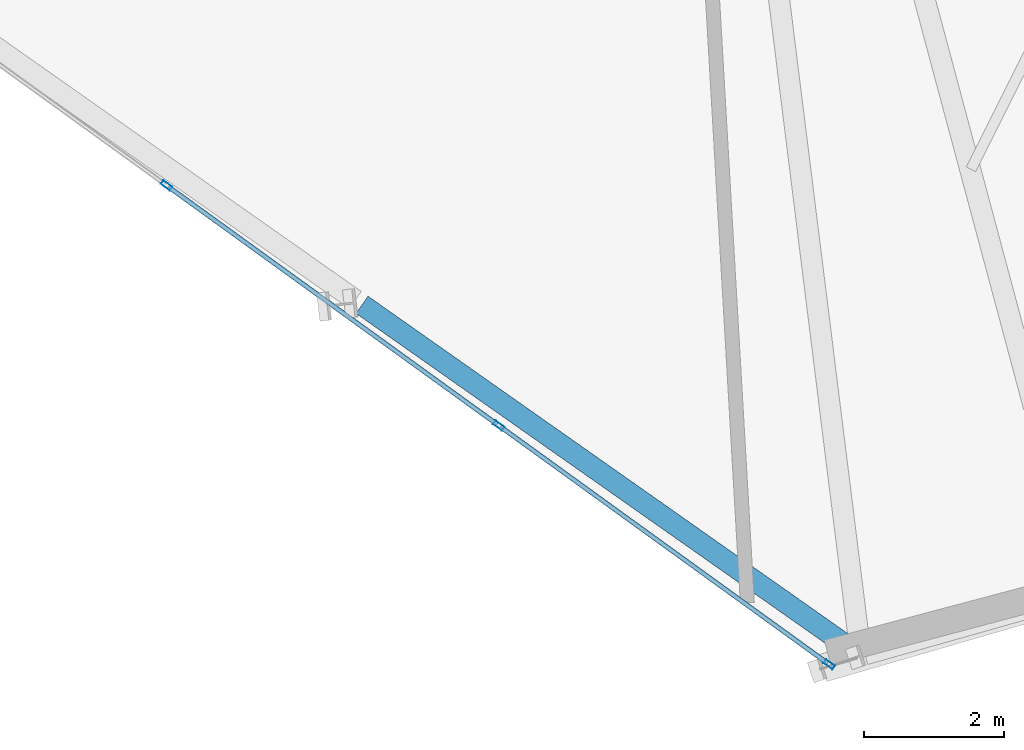
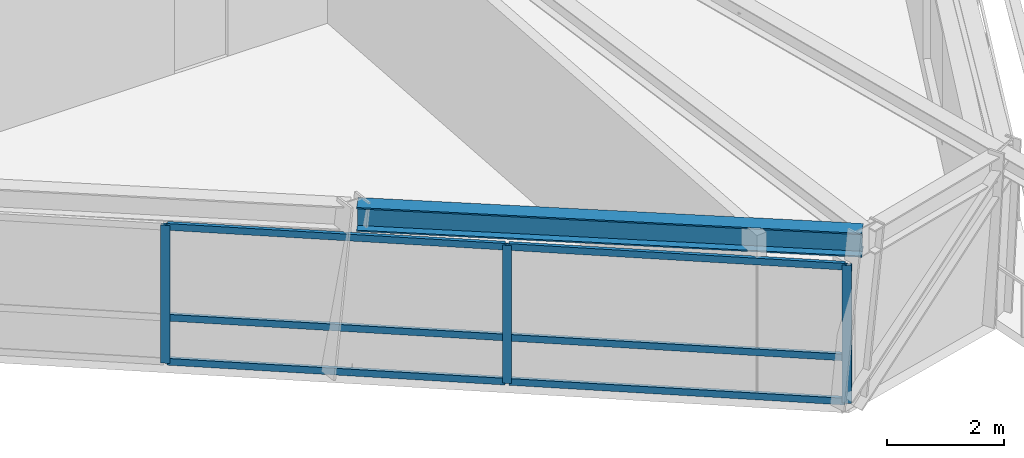
# One storey, part 3 of 14: 9 members, 1 beam, 1 element without a shape of its own.
"""IFC4 building model written with IfcOpenShell, lengths in metres."""

from ifc_helpers import new_model, si_unit, direction, frame, origin, origin_2d, place, context, subcontext, project, spatial, hollow_rectangle, i_section, extrude, source, transform, mapped, material, material_profile, profile_set, type_object, element, aggregate, save


model = new_model("IFC4")

# Units and contexts
model_context = context("Model", 3, precision=1e-05, world=origin(), true_north=direction((0.0, 1.0)))
body_context = subcontext(model_context, "Body", "Model", "MODEL_VIEW")
ifc_project = project(units=[si_unit("LENGTHUNIT", "METRE"), si_unit("AREAUNIT", "SQUARE_METRE"), si_unit("VOLUMEUNIT", "CUBIC_METRE"), si_unit("PLANEANGLEUNIT", "RADIAN"), si_unit("MASSUNIT", "GRAM", prefix="KILO")], contexts=[model_context])

# Site, building, storey
site_placement = place(None, origin())
site = spatial("IfcSite", under=ifc_project, at=site_placement, CompositionType="ELEMENT")
building_placement = place(site_placement, origin())
building = spatial("IfcBuilding", under=site, at=building_placement, Name="Olszyna Solenne Hotel", CompositionType="ELEMENT")
storey_placement = place(building_placement, frame((0.0, 0.0, 234.5)))
storey = spatial("IfcBuildingStorey", under=building, at=storey_placement, Name="L62", CompositionType="ELEMENT", Elevation=234.5)

# Beam
ifc_material_1 = material(Name="Steel S355J2", Category="steel")
ifc_material_profile_1 = material_profile(ifc_material_1, i_section(OverallWidth=0.300048828125, OverallDepth=0.5, WebThickness=0.014404296875, FlangeThickness=0.028076171875, at=origin_2d()), Name="HEB 500", Category="load-bearing")
ifc_profile_set_1 = profile_set([ifc_material_profile_1], Name="Steel S355J2")
beam_type = type_object("IfcBeamType", Name="BM-S3", PredefinedType="BEAM", material=ifc_profile_set_1)
shared_shape_1 = source(origin(), body_context, "Body", "SweptSolid", [
    extrude(i_section(OverallWidth=0.300048828125, OverallDepth=0.5, WebThickness=0.014404296875, FlangeThickness=0.028076171875, at=origin_2d()), origin(), (0.0, 0.0, 1.0), 8.648681640625),
])
beam_placement = place(storey_placement, frame((33.8115234375, 8.052978515625, 3.1298828125), z_axis=(0.818027290639, -0.575179408332, 0.0), x_axis=(0.575179408332, 0.818027290639, 0.0)))
element("IfcBeam", 1, at=beam_placement, inside=storey, type_object=beam_type, Name="Perimeter spandrel beam BM-S3 B-L62-1832", PredefinedType="BEAM", context=body_context, shape_type="MappedRepresentation", body=[
    mapped(shared_shape_1, transform((0.0, 0.0, 0.0), x_axis=(1.0, 0.0, 0.0), y_axis=(0.0, 1.0, 0.0), z_axis=(0.0, 0.0, 1.0), scale=1.0)),
])

# Curtain wall, members
ifc_material_2 = material(Name="Anodised bronze aluminium", Category="aluminium")
curtain_wall_type = type_object("IfcCurtainWallType", Name="CW-SYS-4", PredefinedType="NOTDEFINED", material=ifc_material_2)
curtain_wall_placement = place(storey_placement, origin())
curtain_wall = element("IfcCurtainWall", 2, at=curtain_wall_placement, inside=storey, type_object=curtain_wall_type, Name="Unitised curtain wall CW-SYS-4 CW-L62-01", PredefinedType="NOTDEFINED")
ifc_material_profile_2 = material_profile(ifc_material_2, hollow_rectangle(XDim=0.06494140625, YDim=0.159912109375, WallThickness=0.00390625, at=origin_2d()), Name="MULL 160x65x4", Category="load-bearing")
ifc_profile_set_2 = profile_set([ifc_material_profile_2], Name="Anodised bronze aluminium")
member_type_1 = type_object("IfcMemberType", Name="CW-M3", PredefinedType="MULLION", material=ifc_profile_set_2)
shared_shape_2 = source(origin(), body_context, "Body", "SweptSolid", [
    extrude(hollow_rectangle(XDim=0.06494140625, YDim=0.159912109375, WallThickness=0.00390625, at=origin_2d()), origin(), (0.0, 0.0, 1.0), 2.8720703125),
])
member_1_placement = place(storey_placement, frame((31.017578125, 9.759033203125, 0.0), z_axis=(0.0, 0.0, 1.0), x_axis=(0.585789345427, 0.810463350673, 0.0)))
member_1 = element("IfcMember", 3, at=member_1_placement, type_object=member_type_1, Name="Curtain-wall mullion CW-M3 CM-L62-01-02", PredefinedType="MULLION", context=body_context, shape_type="MappedRepresentation", body=[
    mapped(shared_shape_2, transform((0.0, 0.0, 0.0), x_axis=(1.0, 0.0, 0.0), y_axis=(0.0, 1.0, 0.0), z_axis=(0.0, 0.0, 1.0), scale=1.0)),
])
member_2_placement = place(storey_placement, frame((35.76416015625, 6.328369140625, 0.0), z_axis=(0.0, 0.0, 1.0), x_axis=(0.585789345427, 0.810463350673, 0.0)))
member_2 = element("IfcMember", 4, at=member_2_placement, type_object=member_type_1, Name="Curtain-wall mullion CW-M3 CM-L62-01-03", PredefinedType="MULLION", context=body_context, shape_type="MappedRepresentation", body=[
    mapped(shared_shape_2, transform((0.0, 0.0, 0.0), x_axis=(1.0, 0.0, 0.0), y_axis=(0.0, 1.0, 0.0), z_axis=(0.0, 0.0, 1.0), scale=1.0)),
])
member_3_placement = place(storey_placement, frame((40.484375, 2.916748046875, 0.0), z_axis=(0.0, 0.0, 1.0), x_axis=(0.585789345427, 0.810463350673, 0.0)))
member_3 = element("IfcMember", 5, at=member_3_placement, type_object=member_type_1, Name="Curtain-wall mullion CW-M3 CM-L62-01-04", PredefinedType="MULLION", context=body_context, shape_type="MappedRepresentation", body=[
    mapped(shared_shape_2, transform((0.0, 0.0, 0.0), x_axis=(1.0, 0.0, 0.0), y_axis=(0.0, 1.0, 0.0), z_axis=(0.0, 0.0, 1.0), scale=1.0)),
])
ifc_material_profile_3 = material_profile(ifc_material_2, hollow_rectangle(XDim=0.06494140625, YDim=0.139892578125, WallThickness=0.00390625, at=origin_2d()), Name="TRAN 140x65x4", Category="load-bearing")
ifc_profile_set_3 = profile_set([ifc_material_profile_3], Name="Anodised bronze aluminium")
member_type_2 = type_object("IfcMemberType", Name="CW-T2", PredefinedType="USERDEFINED", material=ifc_profile_set_3)
shared_shape_3 = source(origin(), body_context, "Body", "SweptSolid", [
    extrude(hollow_rectangle(XDim=0.06494140625, YDim=0.139892578125, WallThickness=0.00390625, at=origin_2d()), origin(), (0.0, 0.0, 1.0), 5.79150390625),
])
member_4_placement = place(storey_placement, frame((31.0439453125, 9.739990234375, 0.032470703125), z_axis=(0.810467974177, -0.585782948568, 0.0), x_axis=(0.585782948568, 0.810467974177, 0.0)))
member_4 = element("IfcMember", 6, at=member_4_placement, type_object=member_type_2, Name="Curtain-wall transom CW-T2 CT-L62-01-04", ObjectType="TRANSOM", PredefinedType="USERDEFINED", context=body_context, shape_type="MappedRepresentation", body=[
    mapped(shared_shape_3, transform((0.0, 0.0, 0.0), x_axis=(1.0, 0.0, 0.0), y_axis=(0.0, 1.0, 0.0), z_axis=(0.0, 0.0, 1.0), scale=1.0)),
])
member_5_placement = place(storey_placement, frame((31.0439453125, 9.739990234375, 0.949951171875), z_axis=(0.810467974177, -0.585782948568, 0.0), x_axis=(0.585782948568, 0.810467974177, 0.0)))
member_5 = element("IfcMember", 7, at=member_5_placement, type_object=member_type_2, Name="Curtain-wall transom CW-T2 CT-L62-01-05", ObjectType="TRANSOM", PredefinedType="USERDEFINED", context=body_context, shape_type="MappedRepresentation", body=[
    mapped(shared_shape_3, transform((0.0, 0.0, 0.0), x_axis=(1.0, 0.0, 0.0), y_axis=(0.0, 1.0, 0.0), z_axis=(0.0, 0.0, 1.0), scale=1.0)),
])
member_6_placement = place(storey_placement, frame((31.0439453125, 9.739990234375, 2.839599609375), z_axis=(0.810467974177, -0.585782948568, 0.0), x_axis=(0.585782948568, 0.810467974177, 0.0)))
member_6 = element("IfcMember", 8, at=member_6_placement, type_object=member_type_2, Name="Curtain-wall transom CW-T2 CT-L62-01-06", ObjectType="TRANSOM", PredefinedType="USERDEFINED", context=body_context, shape_type="MappedRepresentation", body=[
    mapped(shared_shape_3, transform((0.0, 0.0, 0.0), x_axis=(1.0, 0.0, 0.0), y_axis=(0.0, 1.0, 0.0), z_axis=(0.0, 0.0, 1.0), scale=1.0)),
])
shared_shape_4 = source(origin(), body_context, "Body", "SweptSolid", [
    extrude(hollow_rectangle(XDim=0.06494140625, YDim=0.139892578125, WallThickness=0.00390625, at=origin_2d()), origin(), (0.0, 0.0, 1.0), 5.759033203125),
])
member_7_placement = place(storey_placement, frame((35.79052734375, 6.309326171875, 0.032470703125), z_axis=(0.810466780789, -0.585784599693, 0.0), x_axis=(0.585784599693, 0.810466780789, 0.0)))
member_7 = element("IfcMember", 9, at=member_7_placement, type_object=member_type_2, Name="Curtain-wall transom CW-T2 CT-L62-01-07", ObjectType="TRANSOM", PredefinedType="USERDEFINED", context=body_context, shape_type="MappedRepresentation", body=[
    mapped(shared_shape_4, transform((0.0, 0.0, 0.0), x_axis=(1.0, 0.0, 0.0), y_axis=(0.0, 1.0, 0.0), z_axis=(0.0, 0.0, 1.0), scale=1.0)),
])
member_8_placement = place(storey_placement, frame((35.79052734375, 6.309326171875, 0.949951171875), z_axis=(0.810466780789, -0.585784599693, 0.0), x_axis=(0.585784599693, 0.810466780789, 0.0)))
member_8 = element("IfcMember", 10, at=member_8_placement, type_object=member_type_2, Name="Curtain-wall transom CW-T2 CT-L62-01-08", ObjectType="TRANSOM", PredefinedType="USERDEFINED", context=body_context, shape_type="MappedRepresentation", body=[
    mapped(shared_shape_4, transform((0.0, 0.0, 0.0), x_axis=(1.0, 0.0, 0.0), y_axis=(0.0, 1.0, 0.0), z_axis=(0.0, 0.0, 1.0), scale=1.0)),
])
member_9_placement = place(storey_placement, frame((35.79052734375, 6.309326171875, 2.839599609375), z_axis=(0.810466780789, -0.585784599693, 0.0), x_axis=(0.585784599693, 0.810466780789, 0.0)))
member_9 = element("IfcMember", 11, at=member_9_placement, type_object=member_type_2, Name="Curtain-wall transom CW-T2 CT-L62-01-09", ObjectType="TRANSOM", PredefinedType="USERDEFINED", context=body_context, shape_type="MappedRepresentation", body=[
    mapped(shared_shape_4, transform((0.0, 0.0, 0.0), x_axis=(1.0, 0.0, 0.0), y_axis=(0.0, 1.0, 0.0), z_axis=(0.0, 0.0, 1.0), scale=1.0)),
])
aggregate(curtain_wall, [member_1, member_2, member_3, member_4, member_5, member_6, member_7, member_8, member_9])

save(model, "model.ifc")
